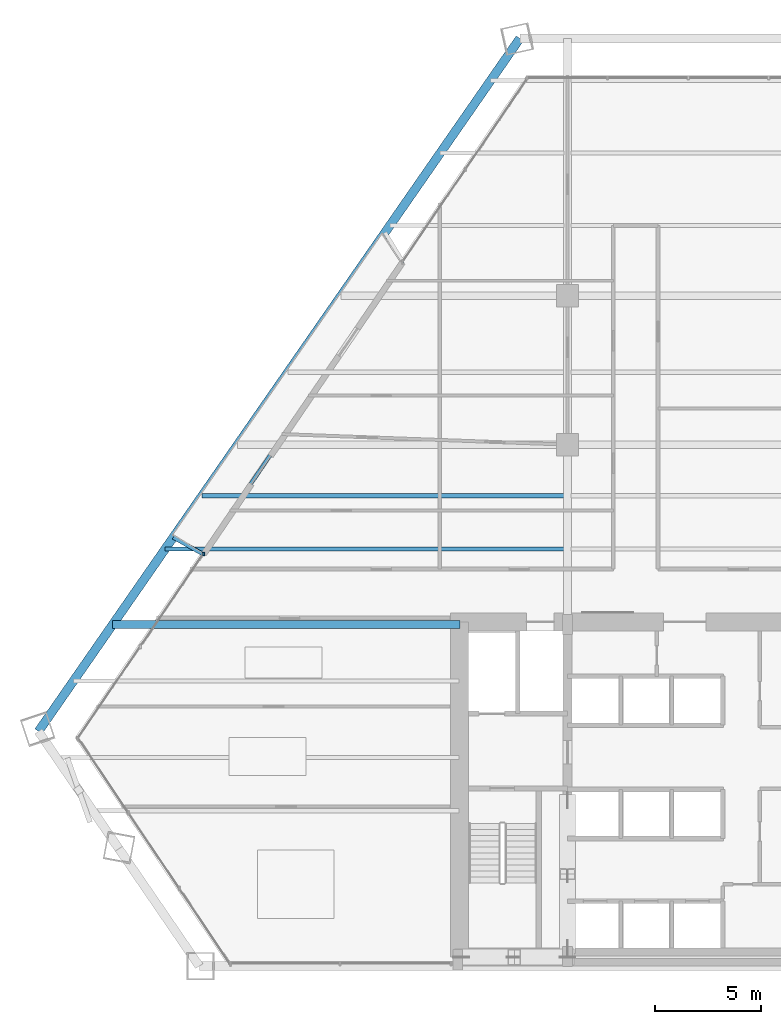
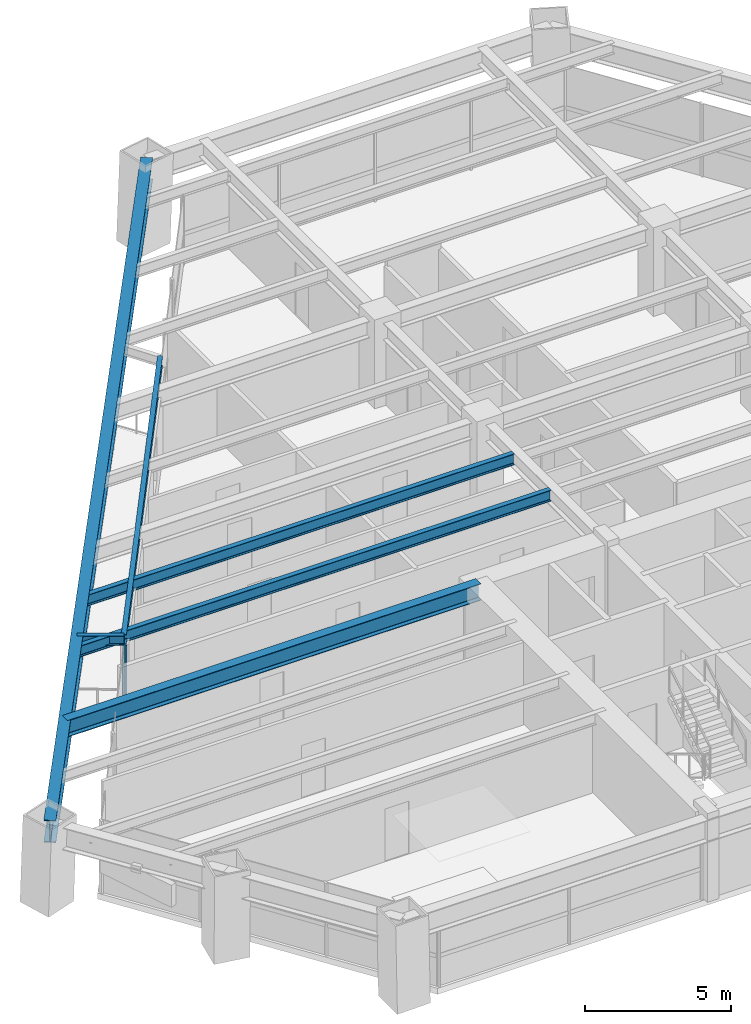
# One storey, part 4 of 14: 6 beams, 1 member, 1 element without a shape of its own.
"""IFC4 building model written with IfcOpenShell, lengths in metres."""

from ifc_helpers import new_model, si_unit, direction, frame, origin, origin_2d, place, context, subcontext, project, spatial, rectangle, i_section, extrude, source, transform, mapped, material, material_profile, profile_set, type_object, type_shapes, element, aggregate, save


model = new_model("IFC4")

# Units and contexts
model_context = context("Model", 3, precision=1e-05, world=origin(), true_north=direction((0.0, 1.0)))
body_context = subcontext(model_context, "Body", "Model", "MODEL_VIEW")
ifc_project = project(units=[si_unit("LENGTHUNIT", "METRE"), si_unit("AREAUNIT", "SQUARE_METRE"), si_unit("VOLUMEUNIT", "CUBIC_METRE"), si_unit("PLANEANGLEUNIT", "RADIAN"), si_unit("MASSUNIT", "GRAM", prefix="KILO")], contexts=[model_context])

# Site, building, storey
site_placement = place(None, origin())
site = spatial("IfcSite", under=ifc_project, at=site_placement, CompositionType="ELEMENT")
building_placement = place(site_placement, origin())
building = spatial("IfcBuilding", under=site, at=building_placement, Name="Varnakhor Terracotta Tower", CompositionType="ELEMENT")
storey_placement = place(building_placement, frame((0.0, 0.0, 42.300048828125)))
storey = spatial("IfcBuildingStorey", under=building, at=storey_placement, Name="L09", CompositionType="ELEMENT", Elevation=42.300048828125)

# Beams
ifc_material_1 = material(Name="Steel S355", Category="steel")
ifc_material_profile_1 = material_profile(ifc_material_1, i_section(OverallWidth=0.41796875, OverallDepth=0.927001953125, WebThickness=0.01904296875, FlangeThickness=0.031982421875, FilletRadius=0.01806640625, at=origin_2d()), Name="W36X231")
ifc_profile_set_1 = profile_set([ifc_material_profile_1], Name="Steel S355")
beam_type_1 = type_object("IfcBeamType", Name="BM-W36X231", PredefinedType="BEAM", material=ifc_profile_set_1)
shared_shape_1 = source(origin(), body_context, "Body", "SweptSolid", [
    extrude(i_section(OverallWidth=0.41796875, OverallDepth=0.927001953125, WebThickness=0.01904296875, FlangeThickness=0.031982421875, FilletRadius=0.01806640625, at=origin_2d()), origin(), (0.0, 0.0, 1.0), 39.635986328125),
])
beam_1_placement = place(storey_placement, frame((-7.739990234375, 43.581298828125, 2.986572265625), z_axis=(-0.570535588983, -0.821272878953, 0.0), x_axis=(0.821272878953, -0.570535588983, 0.0)))
element("IfcBeam", 1, at=beam_1_placement, inside=storey, type_object=beam_type_1, Name="L09 Perimeter Spandrel 6", PredefinedType="BEAM", context=body_context, shape_type="MappedRepresentation", body=[
    mapped(shared_shape_1, transform((0.0, 0.0, 0.0), scale=1.0)),
])
ifc_material_profile_2 = material_profile(ifc_material_1, i_section(OverallWidth=0.179931640625, OverallDepth=0.39990234375, WebThickness=0.008544921875, FlangeThickness=0.013427734375, FilletRadius=0.01806640625, at=origin_2d()), Name="IPE400")
ifc_profile_set_2 = profile_set([ifc_material_profile_2], Name="Steel S355")
beam_type_2 = type_object("IfcBeamType", Name="JST-IPE400", PredefinedType="JOIST", material=ifc_profile_set_2)
shared_shape_2 = source(origin(), body_context, "Body", "SweptSolid", [
    extrude(i_section(OverallWidth=0.179931640625, OverallDepth=0.39990234375, WebThickness=0.008544921875, FlangeThickness=0.013427734375, FilletRadius=0.01806640625, at=origin_2d()), origin(), (0.0, 0.0, 1.0), 16.655517578125),
])
beam_2_placement = place(storey_placement, frame((-13.247802734375, 33.1220703125, 3.25), z_axis=(-0.563081178029, -0.826401589392, 0.0), x_axis=(0.826401589392, -0.563081178029, 0.0)))
element("IfcBeam", 2, at=beam_2_placement, inside=storey, type_object=beam_type_2, Name="L09 Loggia Edge Beam 2", PredefinedType="JOIST", context=body_context, shape_type="MappedRepresentation", body=[
    mapped(shared_shape_2, transform((0.0, 0.0, 0.0), scale=1.0)),
])
ifc_material_profile_3 = material_profile(ifc_material_1, i_section(OverallWidth=0.35498046875, OverallDepth=0.695068359375, WebThickness=0.014892578125, FlangeThickness=0.02490234375, FilletRadius=0.01806640625, at=origin_2d()), Name="W27X146")
ifc_profile_set_3 = profile_set([ifc_material_profile_3], Name="Steel S355")
beam_type_3 = type_object("IfcBeamType", Name="BM-W27X146", PredefinedType="BEAM", material=ifc_profile_set_3)
shared_shape_3 = source(origin(), body_context, "Body", "SweptSolid", [
    extrude(i_section(OverallWidth=0.35498046875, OverallDepth=0.695068359375, WebThickness=0.014892578125, FlangeThickness=0.02490234375, FilletRadius=0.01806640625, at=origin_2d()), origin(), (0.0, 0.0, 1.0), 16.31591796875),
])
beam_3_placement = place(storey_placement, frame((-26.865966796875, 16.050048828125, 3.1025390625), z_axis=(1.0, 0.0, 0.0), x_axis=(0.0, 1.0, 0.0)))
element("IfcBeam", 3, at=beam_3_placement, inside=storey, type_object=beam_type_3, Name="L09 Wing Girder W", PredefinedType="BEAM", context=body_context, shape_type="MappedRepresentation", body=[
    mapped(shared_shape_3, transform((0.0, 0.0, 0.0), scale=1.0)),
])
ifc_material_profile_4 = material_profile(ifc_material_1, i_section(OverallWidth=0.19189453125, OverallDepth=0.462890625, WebThickness=0.010498046875, FlangeThickness=0.017578125, FilletRadius=0.01806640625, at=origin_2d()), Name="W18X60")
ifc_profile_set_4 = profile_set([ifc_material_profile_4], Name="Steel S355")
beam_type_4 = type_object("IfcBeamType", Name="JST-W18X60", PredefinedType="JOIST", material=ifc_profile_set_4)
shared_shape_4 = source(origin(), body_context, "Body", "SweptSolid", [
    extrude(i_section(OverallWidth=0.19189453125, OverallDepth=0.462890625, WebThickness=0.010498046875, FlangeThickness=0.017578125, FilletRadius=0.01806640625, at=origin_2d()), origin(), (0.0, 0.0, 1.0), 18.726318359375),
])
beam_4_placement = place(storey_placement, frame((-24.39990234375, 19.60009765625, 3.218505859375), z_axis=(1.0, 0.0, 0.0), x_axis=(0.0, 1.0, 0.0)))
element("IfcBeam", 4, at=beam_4_placement, inside=storey, type_object=beam_type_4, Name="L09 Composite Floor Joist 4-1", PredefinedType="JOIST", context=body_context, shape_type="MappedRepresentation", body=[
    mapped(shared_shape_4, transform((0.0, 0.0, 0.0), scale=1.0)),
])
shared_shape_5 = source(origin(), body_context, "Body", "SweptSolid", [
    extrude(i_section(OverallWidth=0.19189453125, OverallDepth=0.462890625, WebThickness=0.010498046875, FlangeThickness=0.017578125, FilletRadius=0.01806640625, at=origin_2d()), origin(), (0.0, 0.0, 1.0), 16.989501953125),
])
beam_5_placement = place(storey_placement, frame((-22.6630859375, 22.10009765625, 3.218505859375), z_axis=(1.0, 0.0, 0.0), x_axis=(0.0, 1.0, 0.0)))
element("IfcBeam", 5, at=beam_5_placement, inside=storey, type_object=beam_type_4, Name="L09 Composite Floor Joist 5-1", PredefinedType="JOIST", context=body_context, shape_type="MappedRepresentation", body=[
    mapped(shared_shape_5, transform((0.0, 0.0, 0.0), scale=1.0)),
])

# Curtain wall, member
ifc_material_2 = material(Name="Anodised Aluminium Curtain Wall System", Category="aluminium")
curtain_wall_type = type_object("IfcCurtainWallType", Name="CW-SYS-LOW-OFFICE", PredefinedType="NOTDEFINED", material=ifc_material_2)
curtain_wall_placement = place(storey_placement, origin())
curtain_wall = element("IfcCurtainWall", 6, at=curtain_wall_placement, inside=storey, type_object=curtain_wall_type, Name="L09 W Facet Curtain Wall 1", PredefinedType="NOTDEFINED")
ifc_material_3 = material(Name="Anodised Aluminium 6063-T6", Category="aluminium")
ifc_material_profile_5 = material_profile(ifc_material_3, rectangle(XDim=0.074951171875, YDim=0.18505859375, at=origin_2d()), Name="ALU MULLION 75x185")
ifc_profile_set_5 = profile_set([ifc_material_profile_5], Name="Anodised Aluminium 6063-T6")
member_type = type_object("IfcMemberType", Name="CWM-02", PredefinedType="MULLION", material=ifc_profile_set_5)
shared_shape_6 = source(origin(), body_context, "Body", "SweptSolid", [
    extrude(rectangle(XDim=0.074951171875, YDim=0.18505859375, at=origin_2d()), origin(), (0.0, 0.0, 1.0), 3.030029296875),
])
type_shapes(member_type, [shared_shape_6])
member_placement = place(storey_placement, frame((-22.586669921875, 19.36181640625, 0.0), z_axis=(0.0, 0.0, 1.0), x_axis=(1.0, 0.0, 0.0)))
member = element("IfcMember", 7, at=member_placement, type_object=member_type, Name="L09 W Loggia Jamb Closure Mullion 1", PredefinedType="MULLION", context=body_context, shape_type="MappedRepresentation", body=[
    mapped(shared_shape_6, transform((0.0, 0.0, 0.0), scale=1.0)),
])
aggregate(curtain_wall, [member])

# Beam
shared_shape_7 = source(origin(), body_context, "Body", "SweptSolid", [
    extrude(i_section(OverallWidth=0.179931640625, OverallDepth=0.39990234375, WebThickness=0.008544921875, FlangeThickness=0.013427734375, FilletRadius=0.01806640625, at=origin_2d()), origin(), (0.0, 0.0, 1.0), 1.601806640625),
])
beam_6_placement = place(storey_placement, frame((-22.626220703125, 19.35791015625, 3.25), z_axis=(-0.87136786435, 0.490630252815, 0.0), x_axis=(-0.490630252815, -0.87136786435, 0.0)))
element("IfcBeam", 8, at=beam_6_placement, inside=storey, type_object=beam_type_2, Name="L10 W Loggia Tie Beam 1", PredefinedType="JOIST", context=body_context, shape_type="MappedRepresentation", body=[
    mapped(shared_shape_7, transform((0.0, 0.0, 0.0), scale=1.0)),
])

save(model, "model.ifc")
